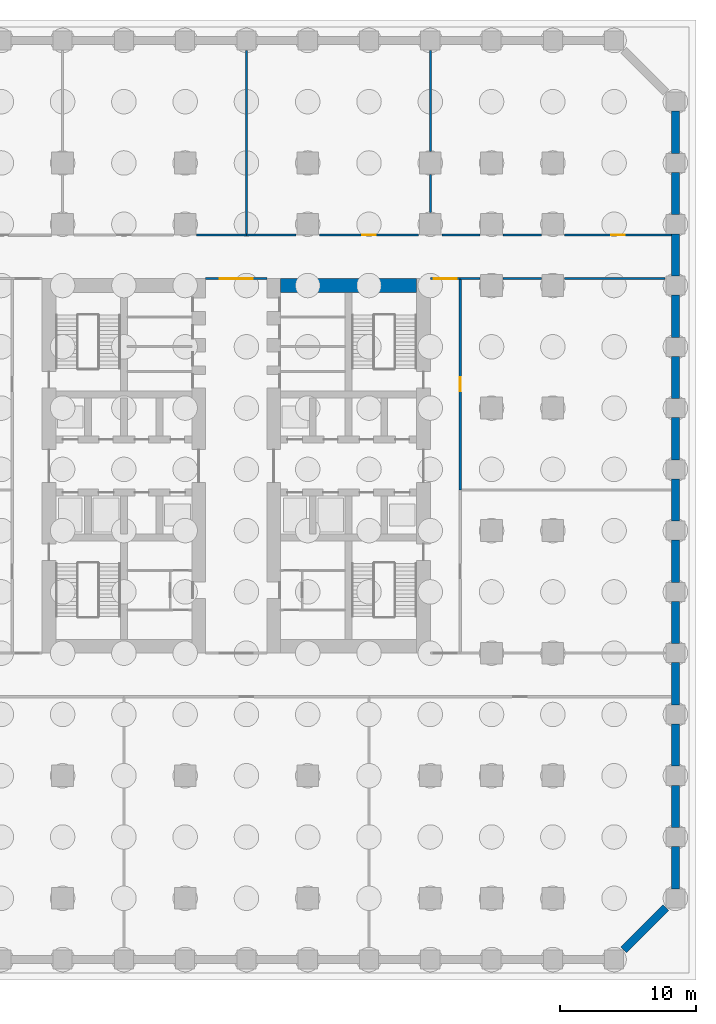
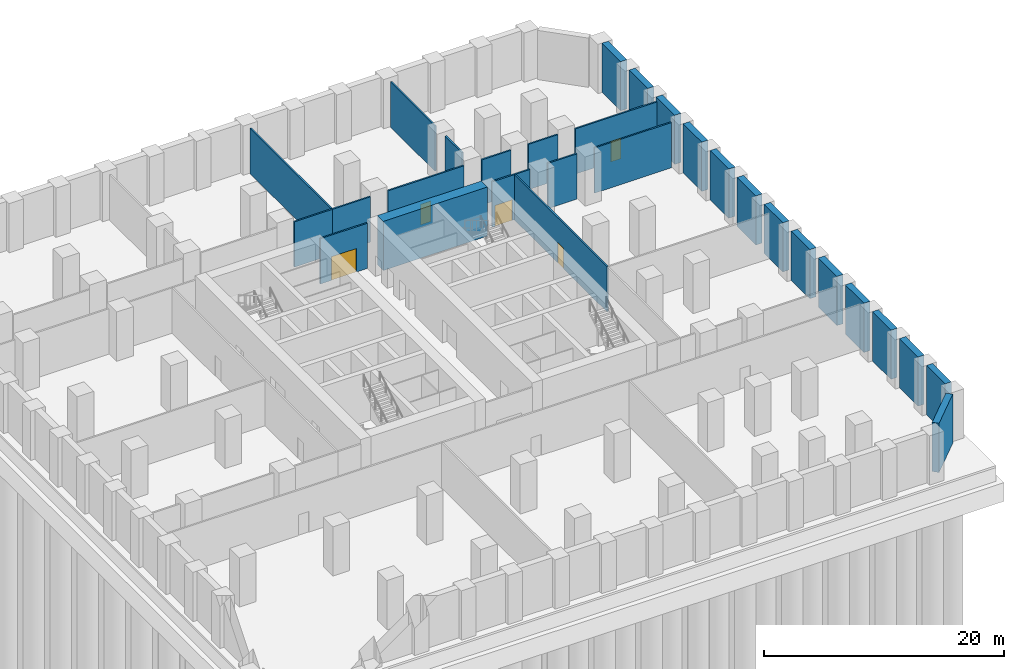
# One storey, part 6 of 9: 30 walls, 5 doors, 5 openings.
"""IFC4 building model written with IfcOpenShell, lengths in metres."""

from ifc_helpers import new_model, si_unit, direction, frame, frame_2d, origin, place, context, subcontext, project, spatial, rectangle, extrude, material, layer, layer_set, type_object, element, fill, save


model = new_model("IFC4")

# Units and contexts
model_context = context("Model", 3, precision=1e-05, world=origin(), true_north=direction((0.0, 1.0)))
body_context = subcontext(model_context, "Body", "Model", "MODEL_VIEW")
ifc_project = project(units=[si_unit("LENGTHUNIT", "METRE"), si_unit("AREAUNIT", "SQUARE_METRE"), si_unit("VOLUMEUNIT", "CUBIC_METRE"), si_unit("PLANEANGLEUNIT", "RADIAN"), si_unit("MASSUNIT", "GRAM", prefix="KILO")], contexts=[model_context])

# Site, building, storey
site_placement = place(None, origin())
site = spatial("IfcSite", under=ifc_project, at=site_placement, CompositionType="ELEMENT")
building_placement = place(site_placement, origin())
building = spatial("IfcBuilding", under=site, at=building_placement, Name="Corbel Stack Research Tower", CompositionType="ELEMENT")
storey_placement = place(building_placement, frame((0.0, 0.0, -10.0)))
storey = spatial("IfcBuildingStorey", under=building, at=storey_placement, Name="B2", CompositionType="ELEMENT", Elevation=-10.0)

# Walls
ifc_material_1 = material(Name="Concrete C45/55", Category="concrete")
ifc_layer_1 = layer(ifc_material_1, 0.60009765625)
ifc_layer_set_1 = layer_set([ifc_layer_1], Name="Concrete C45/55")
wall_type_1 = type_object("IfcWallType", Name="BW-600", PredefinedType="SOLIDWALL", material=ifc_layer_set_1)
wall_1_placement = place(storey_placement, frame((32.199951171875, -30.800048828125, 0.0), z_axis=(0.0, 0.0, 1.0), x_axis=(0.707106781187, 0.707106781187, 0.0)))
element("IfcWall", 1, at=wall_1_placement, inside=storey, type_object=wall_type_1, Name="Basement wall B2", PredefinedType="SOLIDWALL", context=body_context, shape_type="SweptSolid", body=[
    extrude(rectangle(XDim=4.38427734375, YDim=0.60009765625, at=frame_2d((2.192138671875, 0.0))), origin(), (0.0, 0.0, 1.0), 5.0),
])
for number, where, z_axis, x_axis, name in (
    (2, (36.0, -26.300048828125, 0.0), (0.0, 0.0, 1.0), (0.0, 1.0, 0.0), "Basement wall B2"),
    (3, (36.0, -21.800048828125, 0.0), (0.0, 0.0, 1.0), (0.0, 1.0, 0.0), "Basement wall B2"),
    (4, (36.0, -17.300048828125, 0.0), (0.0, 0.0, 1.0), (0.0, 1.0, 0.0), "Basement wall B2"),
    (5, (36.0, -12.800048828125, 0.0), (0.0, 0.0, 1.0), (0.0, 1.0, 0.0), "Basement wall B2"),
    (6, (36.0, -8.300048828125, 0.0), (0.0, 0.0, 1.0), (0.0, 1.0, 0.0), "Basement wall B2"),
    (7, (36.0, -3.800048828125, 0.0), (0.0, 0.0, 1.0), (0.0, 1.0, 0.0), "Basement wall B2"),
    (8, (36.0, 0.699951171875, 0.0), (0.0, 0.0, 1.0), (0.0, 1.0, 0.0), "Basement wall B2"),
    (9, (36.0, 5.199951171875, 0.0), (0.0, 0.0, 1.0), (0.0, 1.0, 0.0), "Basement wall B2"),
    (10, (36.0, 9.699951171875, 0.0), (0.0, 0.0, 1.0), (0.0, 1.0, 0.0), "Basement wall B2"),
    (11, (36.0, 14.199951171875, 0.0), (0.0, 0.0, 1.0), (0.0, 1.0, 0.0), "Basement wall B2"),
    (12, (36.0, 18.699951171875, 0.0), (0.0, 0.0, 1.0), (0.0, 1.0, 0.0), "Basement wall B2"),
    (13, (36.0, 23.199951171875, 0.0), (0.0, 0.0, 1.0), (0.0, 1.0, 0.0), "Basement wall B2"),
    (14, (36.0, 27.699951171875, 0.0), (0.0, 0.0, 1.0), (0.0, 1.0, 0.0), "Basement wall B2"),
):
    element("IfcWall", number, at=place(storey_placement, frame(where, z_axis=z_axis, x_axis=x_axis)), inside=storey, type_object=wall_type_1, Name=name, PredefinedType="SOLIDWALL", context=body_context, shape_type="SweptSolid", body=[
        extrude(rectangle(XDim=3.10009765625, YDim=0.60009765625, at=frame_2d((1.550048828125, 0.0))), origin(), (0.0, 0.0, 1.0), 5.0),
    ])

# Wall, opening, door
ifc_material_2 = material(Name="Concrete block", Category="concrete")
ifc_layer_2 = layer(ifc_material_2, 0.14990234375)
ifc_layer_set_2 = layer_set([ifc_layer_2], Name="Concrete block")
wall_type_2 = type_object("IfcWallType", Name="Base partition 150 B2", PredefinedType="PARTITIONING", material=ifc_layer_set_2)
wall_2_placement = place(storey_placement, frame((18.0, 18.5, 0.0), z_axis=(0.0, 0.0, 1.0), x_axis=(1.0, 0.0, 0.0)))
wall_2 = element("IfcWall", 15, at=wall_2_placement, inside=storey, type_object=wall_type_2, Name="Partition B2", PredefinedType="PARTITIONING", context=body_context, shape_type="SweptSolid", body=[
    extrude(rectangle(XDim=2.199951171875, YDim=0.14990234375, at=frame_2d((1.10009765625, 0.0))), origin(), (0.0, 0.0, 1.0), 4.60009765625),
])
opening_1_placement = place(wall_2_placement, frame((0.25, 0.0, 0.0)))
opening_1 = element("IfcOpeningElement", 16, at=opening_1_placement, cuts=wall_2, Name="Opening BD-B2-15", PredefinedType="OPENING", context=body_context, shape_type="SweptSolid", body=[
    extrude(rectangle(XDim=1.699951171875, YDim=2.10009765625, at=frame_2d((0.85009765625, 1.050048828125))), frame((0.0, 0.0849609375, 0.0), z_axis=(0.0, -1.0, 0.0), x_axis=(1.0, 0.0, 0.0)), (0.0, 0.0, 1.0), 0.169921875),
])
ifc_material_3 = material(Name="Painted steel fire door", Category="steel")
door_type_1 = type_object("IfcDoorType", Name="Lobby door pair 1700 x 2100 FD30S", OperationType="DOUBLE_DOOR_DOUBLE_SWING", PredefinedType="DOOR", material=ifc_material_3)
door_1_placement = place(opening_1_placement, origin())
door_1 = element("IfcDoor", 17, at=door_1_placement, inside=storey, type_object=door_type_1, Name="Stair vestibule east to Plant corridor north opening", OperationType="DOUBLE_DOOR_DOUBLE_SWING", OverallHeight=2.10009765625, OverallWidth=1.699951171875, PredefinedType="DOOR", context=body_context, shape_type="SweptSolid", body=[
    extrude(rectangle(XDim=1.699951171875, YDim=2.10009765625, at=frame_2d((0.85009765625, 1.050048828125))), frame((0.0, 0.02490234375, 0.0), z_axis=(0.0, -1.0, 0.0), x_axis=(1.0, 0.0, 0.0)), (0.0, 0.0, 1.0), 0.050048828125),
])
fill(opening_1, door_1)

wall_3_placement = place(storey_placement, frame((20.199951171875, 3.0, 0.0), z_axis=(0.0, 0.0, 1.0), x_axis=(0.0, 1.0, 0.0)))
wall_3 = element("IfcWall", 18, at=wall_3_placement, inside=storey, type_object=wall_type_2, Name="Partition B2", PredefinedType="PARTITIONING", context=body_context, shape_type="SweptSolid", body=[
    extrude(rectangle(XDim=15.5, YDim=0.14990234375, at=frame_2d((7.75, 0.0))), origin(), (0.0, 0.0, 1.0), 4.60009765625),
])
opening_2_placement = place(wall_3_placement, frame((7.25, 0.0, 0.0)))
opening_2 = element("IfcOpeningElement", 19, at=opening_2_placement, cuts=wall_3, Name="Opening BD-B2-07", PredefinedType="OPENING", context=body_context, shape_type="SweptSolid", body=[
    extrude(rectangle(XDim=1.0, YDim=2.10009765625, at=frame_2d((0.5, 1.050048828125))), frame((0.0, 0.0849609375, 0.0), z_axis=(0.0, -1.0, 0.0), x_axis=(1.0, 0.0, 0.0)), (0.0, 0.0, 1.0), 0.169921875),
])
ifc_material_4 = material(Name="Painted steel door", Category="steel")
door_type_2 = type_object("IfcDoorType", Name="Riser door 1000 x 2100 FD60 left hand", OperationType="SINGLE_SWING_LEFT", PredefinedType="DOOR", material=ifc_material_4)
door_2_placement = place(opening_2_placement, origin())
door_2 = element("IfcDoor", 20, at=door_2_placement, inside=storey, type_object=door_type_2, Name="Uninterruptible power supply room door", OperationType="SINGLE_SWING_LEFT", OverallHeight=2.10009765625, OverallWidth=1.0, PredefinedType="DOOR", context=body_context, shape_type="SweptSolid", body=[
    extrude(rectangle(XDim=1.0, YDim=2.10009765625, at=frame_2d((0.5, 1.050048828125))), frame((0.0, 0.02490234375, 0.0), z_axis=(0.0, -1.0, 0.0), x_axis=(1.0, 0.0, 0.0)), (0.0, 0.0, 1.0), 0.050048828125),
])
fill(opening_2, door_2)

wall_4_placement = place(storey_placement, frame((1.5, 18.5, 0.0), z_axis=(0.0, 0.0, 1.0), x_axis=(1.0, 0.0, 0.0)))
wall_4 = element("IfcWall", 21, at=wall_4_placement, inside=storey, type_object=wall_type_2, Name="Partition B2", PredefinedType="PARTITIONING", context=body_context, shape_type="SweptSolid", body=[
    extrude(rectangle(XDim=4.5, YDim=0.14990234375, at=frame_2d((2.25, 0.0))), origin(), (0.0, 0.0, 1.0), 4.60009765625),
])
opening_3_placement = place(wall_4_placement, frame((1.050048828125, 0.0, 0.0)))
opening_3 = element("IfcOpeningElement", 22, at=opening_3_placement, cuts=wall_4, Name="Opening BD-B2-17", PredefinedType="OPENING", context=body_context, shape_type="SweptSolid", body=[
    extrude(rectangle(XDim=2.39990234375, YDim=2.39990234375, at=frame_2d((1.199951171875, 1.199951171875))), frame((0.0, 0.0849609375, 0.0), z_axis=(0.0, -1.0, 0.0), x_axis=(1.0, 0.0, 0.0)), (0.0, 0.0, 1.0), 0.169921875),
])
ifc_material_5 = material(Name="Painted steel fire door", Category="steel")
door_type_3 = type_object("IfcDoorType", Name="Lobby door pair 2400 x 2400 FD30S", OperationType="DOUBLE_DOOR_DOUBLE_SWING", PredefinedType="DOOR", material=ifc_material_5)
door_3_placement = place(opening_3_placement, origin())
door_3 = element("IfcDoor", 23, at=door_3_placement, inside=storey, type_object=door_type_3, Name="Central circulation to Plant corridor north opening", OperationType="DOUBLE_DOOR_DOUBLE_SWING", OverallHeight=2.39990234375, OverallWidth=2.39990234375, PredefinedType="DOOR", context=body_context, shape_type="SweptSolid", body=[
    extrude(rectangle(XDim=2.39990234375, YDim=2.39990234375, at=frame_2d((1.199951171875, 1.199951171875))), frame((0.0, 0.02490234375, 0.0), z_axis=(0.0, -1.0, 0.0), x_axis=(1.0, 0.0, 0.0)), (0.0, 0.0, 1.0), 0.050048828125),
])
fill(opening_3, door_3)

# Walls
wall_5_placement = place(storey_placement, frame((20.199951171875, 18.5, 0.0), z_axis=(0.0, 0.0, 1.0), x_axis=(1.0, 0.0, 0.0)))
element("IfcWall", 24, at=wall_5_placement, inside=storey, type_object=wall_type_2, Name="Partition B2", PredefinedType="PARTITIONING", context=body_context, shape_type="SweptSolid", body=[
    extrude(rectangle(XDim=1.449951171875, YDim=0.14990234375, at=frame_2d((0.72509765625, 0.0))), origin(), (0.0, 0.0, 1.0), 4.60009765625),
])
wall_6_placement = place(storey_placement, frame((23.35009765625, 18.5, 0.0), z_axis=(0.0, 0.0, 1.0), x_axis=(1.0, 0.0, 0.0)))
element("IfcWall", 25, at=wall_6_placement, inside=storey, type_object=wall_type_2, Name="Partition B2", PredefinedType="PARTITIONING", context=body_context, shape_type="SweptSolid", body=[
    extrude(rectangle(XDim=2.7998046875, YDim=0.14990234375, at=frame_2d((1.39990234375, 0.0))), origin(), (0.0, 0.0, 1.0), 4.60009765625),
])
wall_7_placement = place(storey_placement, frame((27.85009765625, 18.5, 0.0), z_axis=(0.0, 0.0, 1.0), x_axis=(1.0, 0.0, 0.0)))
element("IfcWall", 26, at=wall_7_placement, inside=storey, type_object=wall_type_2, Name="Partition B2", PredefinedType="PARTITIONING", context=body_context, shape_type="SweptSolid", body=[
    extrude(rectangle(XDim=7.39990234375, YDim=0.14990234375, at=frame_2d((3.699951171875, 0.0))), origin(), (0.0, 0.0, 1.0), 4.60009765625),
])
wall_8_placement = place(storey_placement, frame((0.85009765625, 21.699951171875, 0.0), z_axis=(0.0, 0.0, 1.0), x_axis=(1.0, 0.0, 0.0)))
element("IfcWall", 27, at=wall_8_placement, inside=storey, type_object=wall_type_2, Name="Partition B2", PredefinedType="PARTITIONING", context=body_context, shape_type="SweptSolid", body=[
    extrude(rectangle(XDim=3.64990234375, YDim=0.14990234375, at=frame_2d((1.824951171875, 0.0))), origin(), (0.0, 0.0, 1.0), 4.60009765625),
])

# Wall, opening, door
wall_9_placement = place(storey_placement, frame((9.85009765625, 21.699951171875, 0.0), z_axis=(0.0, 0.0, 1.0), x_axis=(1.0, 0.0, 0.0)))
wall_9 = element("IfcWall", 28, at=wall_9_placement, inside=storey, type_object=wall_type_2, Name="Partition B2", PredefinedType="PARTITIONING", context=body_context, shape_type="SweptSolid", body=[
    extrude(rectangle(XDim=7.2998046875, YDim=0.14990234375, at=frame_2d((3.64990234375, 0.0))), origin(), (0.0, 0.0, 1.0), 4.60009765625),
])
opening_4_placement = place(wall_9_placement, frame((3.14990234375, 0.0, 0.0)))
opening_4 = element("IfcOpeningElement", 29, at=opening_4_placement, cuts=wall_9, Name="Opening BD-B2-10", PredefinedType="OPENING", context=body_context, shape_type="SweptSolid", body=[
    extrude(rectangle(XDim=1.0, YDim=2.10009765625, at=frame_2d((0.5, 1.050048828125))), frame((0.0, 0.0849609375, 0.0), z_axis=(0.0, -1.0, 0.0), x_axis=(1.0, 0.0, 0.0)), (0.0, 0.0, 1.0), 0.169921875),
])
ifc_material_6 = material(Name="Painted steel door", Category="steel")
door_type_4 = type_object("IfcDoorType", Name="Riser door 1000 x 2100 FD90 right hand", OperationType="SINGLE_SWING_RIGHT", PredefinedType="DOOR", material=ifc_material_6)
door_4_placement = place(opening_4_placement, origin())
door_4 = element("IfcDoor", 30, at=door_4_placement, inside=storey, type_object=door_type_4, Name="Hazardous materials store (control area) door", OperationType="SINGLE_SWING_RIGHT", OverallHeight=2.10009765625, OverallWidth=1.0, PredefinedType="DOOR", context=body_context, shape_type="SweptSolid", body=[
    extrude(rectangle(XDim=1.0, YDim=2.10009765625, at=frame_2d((0.5, 1.050048828125))), frame((0.0, 0.02490234375, 0.0), z_axis=(0.0, -1.0, 0.0), x_axis=(1.0, 0.0, 0.0)), (0.0, 0.0, 1.0), 0.050048828125),
])
fill(opening_4, door_4)

# Wall
wall_10_placement = place(storey_placement, frame((4.5, 21.699951171875, 0.0), z_axis=(0.0, 0.0, 1.0), x_axis=(1.0, 0.0, 0.0)))
element("IfcWall", 31, at=wall_10_placement, inside=storey, type_object=wall_type_2, Name="Partition B2", PredefinedType="PARTITIONING", context=body_context, shape_type="SweptSolid", body=[
    extrude(rectangle(XDim=3.64990234375, YDim=0.14990234375, at=frame_2d((1.824951171875, 0.0))), origin(), (0.0, 0.0, 1.0), 4.60009765625),
])

# Wall, opening, door
wall_11_placement = place(storey_placement, frame((27.85009765625, 21.699951171875, 0.0), z_axis=(0.0, 0.0, 1.0), x_axis=(1.0, 0.0, 0.0)))
wall_11 = element("IfcWall", 32, at=wall_11_placement, inside=storey, type_object=wall_type_2, Name="Partition B2", PredefinedType="PARTITIONING", context=body_context, shape_type="SweptSolid", body=[
    extrude(rectangle(XDim=7.849853515625, YDim=0.14990234375, at=frame_2d((3.9248046875, 0.0))), origin(), (0.0, 0.0, 1.0), 4.60009765625),
])
opening_5_placement = place(wall_11_placement, frame((3.425048828125, 0.0, 0.0)))
opening_5 = element("IfcOpeningElement", 33, at=opening_5_placement, cuts=wall_11, Name="Opening BD-B2-11", PredefinedType="OPENING", context=body_context, shape_type="SweptSolid", body=[
    extrude(rectangle(XDim=1.0, YDim=2.10009765625, at=frame_2d((0.5, 1.050048828125))), frame((0.0, 0.0849609375, 0.0), z_axis=(0.0, -1.0, 0.0), x_axis=(1.0, 0.0, 0.0)), (0.0, 0.0, 1.0), 0.169921875),
])
ifc_material_7 = material(Name="Painted steel door", Category="steel")
door_type_5 = type_object("IfcDoorType", Name="Service door 1000 x 2100 FD60 left hand", OperationType="SINGLE_SWING_LEFT", PredefinedType="DOOR", material=ifc_material_7)
door_5_placement = place(opening_5_placement, origin())
door_5 = element("IfcDoor", 34, at=door_5_placement, inside=storey, type_object=door_type_5, Name="Cold store door", OperationType="SINGLE_SWING_LEFT", OverallHeight=2.10009765625, OverallWidth=1.0, PredefinedType="DOOR", context=body_context, shape_type="SweptSolid", body=[
    extrude(rectangle(XDim=1.0, YDim=2.10009765625, at=frame_2d((0.5, 1.050048828125))), frame((0.0, 0.02490234375, 0.0), z_axis=(0.0, -1.0, 0.0), x_axis=(1.0, 0.0, 0.0)), (0.0, 0.0, 1.0), 0.050048828125),
])
fill(opening_5, door_5)

# Walls
for number, where, z_axis, x_axis, name in (
    (35, (23.35009765625, 21.699951171875, 0.0), (0.0, 0.0, 1.0), (1.0, 0.0, 0.0), "Partition B2"),
    (36, (18.85009765625, 21.699951171875, 0.0), (0.0, 0.0, 1.0), (1.0, 0.0, 0.0), "Partition B2"),
):
    element("IfcWall", number, at=place(storey_placement, frame(where, z_axis=z_axis, x_axis=x_axis)), inside=storey, type_object=wall_type_2, Name=name, PredefinedType="PARTITIONING", context=body_context, shape_type="SweptSolid", body=[
        extrude(rectangle(XDim=2.7998046875, YDim=0.14990234375, at=frame_2d((1.39990234375, 0.0))), origin(), (0.0, 0.0, 1.0), 4.60009765625),
    ])
wall_12_placement = place(storey_placement, frame((4.5, 21.699951171875, 0.0), z_axis=(0.0, 0.0, 1.0), x_axis=(0.0, 1.0, 0.0)))
element("IfcWall", 37, at=wall_12_placement, inside=storey, type_object=wall_type_2, Name="Partition B2", PredefinedType="PARTITIONING", context=body_context, shape_type="SweptSolid", body=[
    extrude(rectangle(XDim=13.550048828125, YDim=0.14990234375, at=frame_2d((6.77490234375, 0.0))), origin(), (0.0, 0.0, 1.0), 4.60009765625),
])
wall_13_placement = place(storey_placement, frame((18.0, 23.35009765625, 0.0), z_axis=(0.0, 0.0, 1.0), x_axis=(0.0, 1.0, 0.0)))
element("IfcWall", 38, at=wall_13_placement, inside=storey, type_object=wall_type_2, Name="Partition B2", PredefinedType="PARTITIONING", context=body_context, shape_type="SweptSolid", body=[
    extrude(rectangle(XDim=2.7998046875, YDim=0.14990234375, at=frame_2d((1.39990234375, 0.0))), origin(), (0.0, 0.0, 1.0), 4.60009765625),
])
wall_14_placement = place(storey_placement, frame((18.0, 27.85009765625, 0.0), z_axis=(0.0, 0.0, 1.0), x_axis=(0.0, 1.0, 0.0)))
element("IfcWall", 39, at=wall_14_placement, inside=storey, type_object=wall_type_2, Name="Partition B2", PredefinedType="PARTITIONING", context=body_context, shape_type="SweptSolid", body=[
    extrude(rectangle(XDim=7.39990234375, YDim=0.14990234375, at=frame_2d((3.699951171875, 0.0))), origin(), (0.0, 0.0, 1.0), 4.60009765625),
])
ifc_material_8 = material(Name="Concrete C70/85", Category="concrete")
ifc_layer_3 = layer(ifc_material_8, 1.0)
ifc_layer_set_3 = layer_set([ifc_layer_3], Name="Concrete C70/85")
wall_type_3 = type_object("IfcWallType", Name="CW-1000-70", PredefinedType="SHEAR", material=ifc_layer_set_3)
wall_15_placement = place(storey_placement, frame((7.0, 18.0, 0.0), z_axis=(0.0, 0.0, 1.0), x_axis=(1.0, 0.0, 0.0)))
element("IfcWall", 40, at=wall_15_placement, inside=storey, type_object=wall_type_3, Name="East core wall, north end B2", PredefinedType="SHEAR", context=body_context, shape_type="SweptSolid", body=[
    extrude(rectangle(XDim=10.0, YDim=1.0, at=frame_2d((5.0, 0.0))), origin(), (0.0, 0.0, 1.0), 5.0),
])

save(model, "model.ifc")
